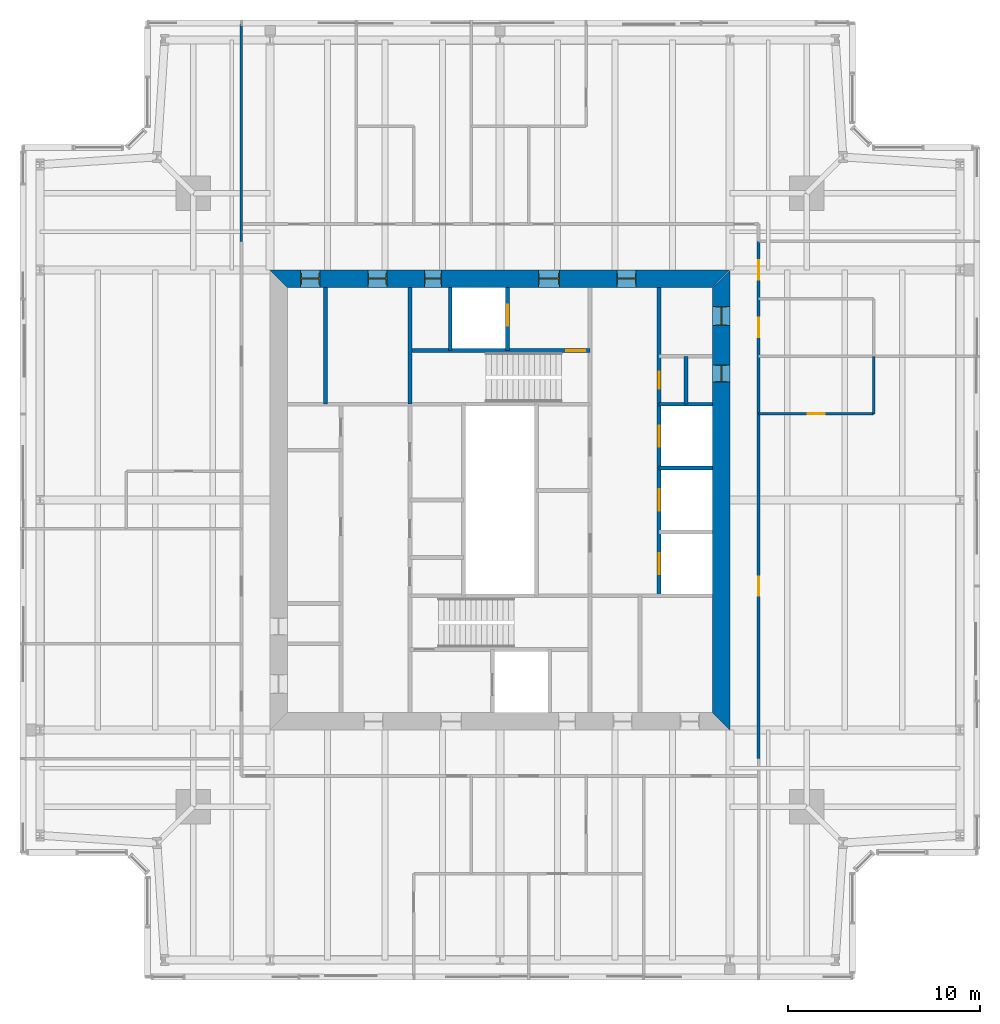
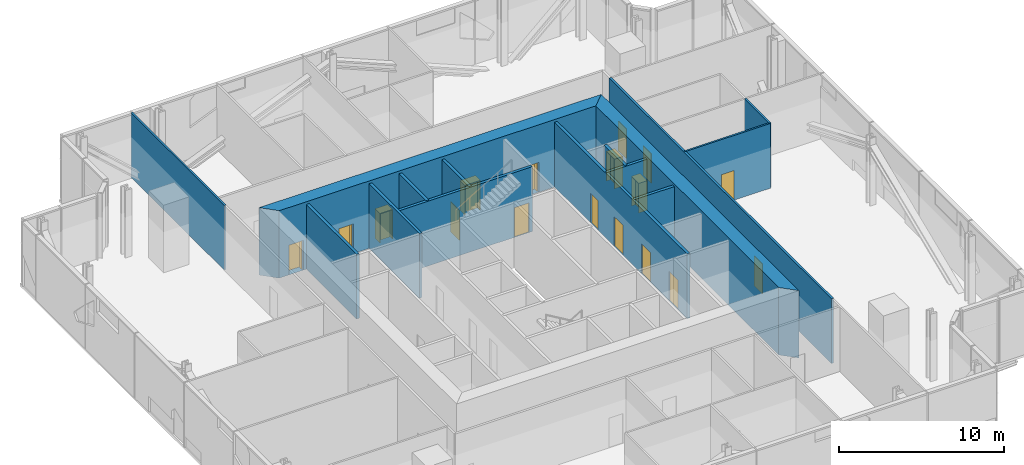
# One storey, part 9 of 15: 17 doors, 15 walls, 17 openings.
"""IFC4 building model written with IfcOpenShell, lengths in metres."""

import ifcopenshell
import ifcopenshell.guid

model = None  # the IFC model being written
_history = None  # IfcOwnerHistory: only IFC2X3 demands one
_inside = {}  # id of a spatial element -> (the spatial element, [elements in it])
_under = {}  # id of a project, library or spatial element -> (it, [spatial elements below it])
_declared = {}  # id of a project -> (the project, [libraries it declares])
_typed = {}  # id of a type object -> (the type object, [elements of that type])
_made_of = {}  # id of a material, layer set ... -> (it, [elements and type objects made of it])


def new_model(schema):
    """Start an empty IFC model of exactly this schema.

    Asked for "IFC4X3", IfcOpenShell would pick the latest addendum, in which some entities
    have other attributes; the version numbers below select the first issue.
    IFC2X3 requires an IfcOwnerHistory on every rooted entity: one is made here for all.
    """
    global model, _history
    if schema == "IFC4X3":
        model = ifcopenshell.file(schema_version=(4, 3, 0, 0))
    else:
        model = ifcopenshell.file(schema=schema)
    _inside.clear()
    _under.clear()
    _declared.clear()
    _typed.clear()
    _made_of.clear()
    _history = None
    if model.schema == "IFC2X3":
        org = make("IfcOrganization", Name="unknown")
        user = make(
            "IfcPersonAndOrganization",
            ThePerson=make("IfcPerson", FamilyName="unknown"),
            TheOrganization=org,
        )
        app = make(
            "IfcApplication",
            ApplicationDeveloper=org,
            Version="unknown",
            ApplicationFullName="unknown",
            ApplicationIdentifier="unknown",
        )
        _history = make(
            "IfcOwnerHistory",
            OwningUser=user,
            OwningApplication=app,
            ChangeAction="ADDED",
            CreationDate=0,
        )
    return model


def make(cls, **values):
    """One entity of the class cls with the attributes given. An attribute that is None is left unset."""
    return model.create_entity(
        cls, **{name: value for name, value in values.items() if value is not None}
    )


def rooted(cls, **values):
    """An entity with a GlobalId (a new one), such as an element, a storey or a relation."""
    return make(cls, GlobalId=ifcopenshell.guid.new(), OwnerHistory=_history, **values)


def si_unit(unit_type, name, prefix=None):
    """IfcSIUnit, for example si_unit("LENGTHUNIT", "METRE", prefix="MILLI")."""
    return make("IfcSIUnit", UnitType=unit_type, Prefix=prefix, Name=name)


def assignment(units):
    """IfcUnitAssignment: the units of a project."""
    return None if units is None else make("IfcUnitAssignment", Units=units)


def point(xyz):
    """IfcCartesianPoint."""
    return None if xyz is None else make("IfcCartesianPoint", Coordinates=xyz)


def direction(xyz):
    """IfcDirection."""
    return None if xyz is None else make("IfcDirection", DirectionRatios=xyz)


def frame(location, z_axis=None, x_axis=None):
    """IfcAxis2Placement3D, a coordinate frame: its origin and axes. An axis left out is left unset."""
    return make(
        "IfcAxis2Placement3D",
        Location=point(location),
        Axis=direction(z_axis),
        RefDirection=direction(x_axis),
    )


def frame_2d(location, x_axis=None):
    """IfcAxis2Placement2D, a coordinate frame in the plane: its origin and x axis."""
    return make(
        "IfcAxis2Placement2D", Location=point(location), RefDirection=direction(x_axis)
    )


def origin():
    """The frame at (0, 0, 0) with its axes left unset."""
    return frame((0.0, 0.0, 0.0))


def place(relative_to, where):
    """IfcLocalPlacement: puts the frame where relative to a parent placement (None: the world)."""
    return make(
        "IfcLocalPlacement", PlacementRelTo=relative_to, RelativePlacement=where
    )


def context(
    kind, dimensions, precision=None, world=None, true_north=None, identifier=None
):
    """IfcGeometricRepresentationContext, for example the 3D "Model" context."""
    return make(
        "IfcGeometricRepresentationContext",
        ContextIdentifier=identifier,
        ContextType=kind,
        CoordinateSpaceDimension=dimensions,
        Precision=precision,
        WorldCoordinateSystem=world,
        TrueNorth=true_north,
    )


def subcontext(parent, identifier, kind, view, scale=None):
    """IfcGeometricRepresentationSubContext, for example "Body" below "Model"."""
    return make(
        "IfcGeometricRepresentationSubContext",
        ContextIdentifier=identifier,
        ContextType=kind,
        ParentContext=parent,
        TargetScale=scale,
        TargetView=view,
    )


def project(units=None, contexts=None):
    """IfcProject with its units and contexts."""
    return rooted(
        "IfcProject",
        Name="project",
        RepresentationContexts=contexts,
        UnitsInContext=assignment(units),
    )


def spatial(cls, under=None, at=None, **own):
    """A site, building, storey or space (cls), placed at a placement, below another one or the project."""
    s = rooted(cls, ObjectPlacement=at, **own)
    if under is not None:
        _under.setdefault(under.id(), (under, []))[1].append(s)
    return s


def polyline(points):
    """IfcPolyline through the points."""
    return make("IfcPolyline", Points=[point(p) for p in points])


def profile(cls, at=None, kind="AREA", **sizes):
    """A parametric profile (cls). Its sizes go by their IFC names, for example OverallWidth=200.0."""
    return make(cls, ProfileType=kind, Position=at, **sizes)


def rectangle(**sizes):
    """IfcRectangleProfileDef."""
    return profile("IfcRectangleProfileDef", **sizes)


def outline(outer, holes=None, kind="AREA"):
    """IfcArbitraryClosedProfileDef: a profile drawn as a closed curve; with holes, ...WithVoids."""
    if holes is None:
        return make("IfcArbitraryClosedProfileDef", ProfileType=kind, OuterCurve=outer)
    return make(
        "IfcArbitraryProfileDefWithVoids",
        ProfileType=kind,
        OuterCurve=outer,
        InnerCurves=holes,
    )


def extrude(swept, where, along, depth):
    """IfcExtrudedAreaSolid: the profile swept, set in the frame where, extruded along a direction by depth."""
    return make(
        "IfcExtrudedAreaSolid",
        SweptArea=swept,
        Position=where,
        ExtrudedDirection=direction(along),
        Depth=depth,
    )


def shape(context_of_items, identifier, shape_type, items):
    """IfcShapeRepresentation: the items that make up one representation, for example the "Body"."""
    return make(
        "IfcShapeRepresentation",
        ContextOfItems=context_of_items,
        RepresentationIdentifier=identifier,
        RepresentationType=shape_type,
        Items=items,
    )


def material(Name=None, Category=None):
    """IfcMaterial."""
    return make("IfcMaterial", Name=Name, Category=Category)


def layer(
    of_material, thickness, ventilated=None, Name=None, Category=None, Priority=None
):
    """IfcMaterialLayer: one layer of a wall or slab, of a material (None: an air gap)."""
    return make(
        "IfcMaterialLayer",
        Material=of_material,
        LayerThickness=thickness,
        IsVentilated=ventilated,
        Name=Name,
        Category=Category,
        Priority=Priority,
    )


def layer_set(layers, Name=None):
    """IfcMaterialLayerSet."""
    return make("IfcMaterialLayerSet", MaterialLayers=layers, LayerSetName=Name)


def made_of(thing, what):
    """Note that an element or type object is made of a material, layer set ...; save() writes the relation."""
    if what is not None:
        _made_of.setdefault(what.id(), (what, []))[1].append(thing)
    return thing


def type_object(cls, material=None, **own):
    """A type object (cls), such as IfcWallType, which elements share."""
    return made_of(rooted(cls, **own), material)


def element(
    cls,
    number,
    at=None,
    inside=None,
    cuts=None,
    type_object=None,
    material=None,
    context=None,
    identifier="Body",
    shape_type=None,
    held_by="IfcProductDefinitionShape",
    body=None,
    shapes=None,
    **own,
):
    """One element of the class cls, such as IfcWall. Its Tag is "e" and its number.

    at: its placement. inside: the storey or other place that contains it. cuts: it is an
    opening in that element (IfcRelVoidsElement). A single representation is given by context,
    identifier, shape_type and body (its items); several are given by shapes. held_by: the class
    of the entity that holds the representations. save() writes the other relations.
    """
    e = rooted(cls, Tag="e%d" % number, ObjectPlacement=at, **own)
    if body is not None:
        shapes = [shape(context, identifier, shape_type, body)]
    if shapes is not None:
        e.Representation = make(held_by, Representations=shapes)
    if inside is not None:
        _inside.setdefault(inside.id(), (inside, []))[1].append(e)
    if cuts is not None:
        rooted(
            "IfcRelVoidsElement", RelatingBuildingElement=cuts, RelatedOpeningElement=e
        )
    if type_object is not None:
        _typed.setdefault(type_object.id(), (type_object, []))[1].append(e)
    return made_of(e, material)


def fill(opening, filler):
    """IfcRelFillsElement: the door or window that sits in an opening."""
    return rooted(
        "IfcRelFillsElement",
        RelatingOpeningElement=opening,
        RelatedBuildingElement=filler,
    )


def aggregate(whole, parts):
    """IfcRelAggregates: a whole, such as a stair, and the parts it consists of."""
    return rooted("IfcRelAggregates", RelatingObject=whole, RelatedObjects=parts)


def save(model, path):
    """Write the relations noted so far, then the file.

    IfcRelAggregates (storeys below a building ...), IfcRelContainedInSpatialStructure (elements
    in a storey), IfcRelDefinesByType, IfcRelAssociatesMaterial and IfcRelDeclares: one each for
    every whole, place, type object, material and project.
    """
    for whole, parts in _under.values():
        aggregate(whole, parts)
    for where, things in _inside.values():
        rooted(
            "IfcRelContainedInSpatialStructure",
            RelatedElements=things,
            RelatingStructure=where,
        )
    for kind, things in _typed.values():
        rooted("IfcRelDefinesByType", RelatedObjects=things, RelatingType=kind)
    for what, things in _made_of.values():
        rooted("IfcRelAssociatesMaterial", RelatedObjects=things, RelatingMaterial=what)
    for by, libraries in _declared.values():
        rooted("IfcRelDeclares", RelatingContext=by, RelatedDefinitions=libraries)
    model.write(path)


model = new_model("IFC4")

# Units and contexts
model_context = context("Model", 3, precision=1e-05, world=origin(), true_north=direction((0.0, 1.0)))
body_context = subcontext(model_context, "Body", "Model", "MODEL_VIEW")
ifc_project = project(units=[si_unit("LENGTHUNIT", "METRE"), si_unit("AREAUNIT", "SQUARE_METRE"), si_unit("VOLUMEUNIT", "CUBIC_METRE"), si_unit("PLANEANGLEUNIT", "RADIAN"), si_unit("MASSUNIT", "GRAM", prefix="KILO")], contexts=[model_context])

# Site, building, storey
site_placement = place(None, origin())
site = spatial("IfcSite", under=ifc_project, at=site_placement, CompositionType="ELEMENT")
building_placement = place(site_placement, origin())
building = spatial("IfcBuilding", under=site, at=building_placement, Name="Fenwick Lantern Interchange", CompositionType="ELEMENT")
storey_placement = place(building_placement, frame((0.0, 0.0, 296.800048828125)))
storey = spatial("IfcBuildingStorey", under=building, at=storey_placement, Name="L72", CompositionType="ELEMENT", Elevation=296.800048828125)

# Wall, openings, doors
ifc_material_1 = material(Name="Concrete masonry ASTM C90 Grade N", Category="masonry")
ifc_layer_1 = layer(ifc_material_1, 0.199951171875)
ifc_layer_set_1 = layer_set([ifc_layer_1], Name="Concrete masonry ASTM C90 Grade N")
wall_type_1 = type_object("IfcWallType", Name="CORE PARTITION 200", PredefinedType="PARTITIONING", material=ifc_layer_set_1)
wall_1_placement = place(storey_placement, frame((33.300048828125, 36.10009765625, 0.0), z_axis=(0.0, 0.0, 1.0), x_axis=(0.0, -1.0, 0.0)))
wall_1 = element("IfcWall", 1, at=wall_1_placement, inside=storey, type_object=wall_type_1, Name="L72/W/COREN/a", PredefinedType="PARTITIONING", context=body_context, shape_type="SweptSolid", body=[
    extrude(rectangle(XDim=16.10009765625, YDim=0.199951171875, at=frame_2d((8.050048828125, 0.0))), origin(), (0.0, 0.0, 1.0), 4.800048828125),
])
opening_1_placement = place(wall_1_placement, frame((4.39990234375, 0.0, 0.0)))
opening_1 = element("IfcOpeningElement", 2, at=opening_1_placement, cuts=wall_1, Name="Opening L72-D021", PredefinedType="OPENING", context=body_context, shape_type="SweptSolid", body=[
    extrude(rectangle(XDim=0.89990234375, YDim=2.199951171875, at=frame_2d((0.449951171875, 1.10009765625))), frame((0.0, 0.10986328125, 0.0), z_axis=(0.0, -1.0, 0.0), x_axis=(1.0, 0.0, 0.0)), (0.0, 0.0, 1.0), 0.219970703125),
])
opening_2_placement = place(wall_1_placement, frame((7.216552734375, 0.0, 0.0)))
opening_2 = element("IfcOpeningElement", 3, at=opening_2_placement, cuts=wall_1, Name="Opening LD-E1-1", PredefinedType="OPENING", context=body_context, shape_type="SweptSolid", body=[
    extrude(rectangle(XDim=1.10009765625, YDim=2.199951171875, at=frame_2d((0.550048828125, 1.10009765625))), frame((0.0, 0.10986328125, 0.0), z_axis=(0.0, -1.0, 0.0), x_axis=(1.0, 0.0, 0.0)), (0.0, 0.0, 1.0), 0.219970703125),
])
opening_3_placement = place(wall_1_placement, frame((10.550048828125, 0.0, 0.0)))
opening_3 = element("IfcOpeningElement", 4, at=opening_3_placement, cuts=wall_1, Name="Opening LD-E1-2", PredefinedType="OPENING", context=body_context, shape_type="SweptSolid", body=[
    extrude(rectangle(XDim=1.10009765625, YDim=2.199951171875, at=frame_2d((0.550048828125, 1.10009765625))), frame((0.0, 0.10986328125, 0.0), z_axis=(0.0, -1.0, 0.0), x_axis=(1.0, 0.0, 0.0)), (0.0, 0.0, 1.0), 0.219970703125),
])
opening_4_placement = place(wall_1_placement, frame((13.88330078125, 0.0, 0.0)))
opening_4 = element("IfcOpeningElement", 5, at=opening_4_placement, cuts=wall_1, Name="Opening LD-E1-3", PredefinedType="OPENING", context=body_context, shape_type="SweptSolid", body=[
    extrude(rectangle(XDim=1.10009765625, YDim=2.199951171875, at=frame_2d((0.550048828125, 1.10009765625))), frame((0.0, 0.10986328125, 0.0), z_axis=(0.0, -1.0, 0.0), x_axis=(1.0, 0.0, 0.0)), (0.0, 0.0, 1.0), 0.219970703125),
])
ifc_material_2 = material(Name="Steel door and frame", Category="steel")
door_type_1 = type_object("IfcDoorType", Name="LIFT LANDING DOOR 1100 X 2200", OperationType="DOUBLE_DOOR_SLIDING", PredefinedType="DOOR", material=ifc_material_2)
door_1_placement = place(opening_2_placement, origin())
door_1 = element("IfcDoor", 6, at=door_1_placement, inside=storey, type_object=door_type_1, Name="Lift landing door E1-1", OperationType="DOUBLE_DOOR_SLIDING", OverallHeight=2.199951171875, OverallWidth=1.10009765625, PredefinedType="DOOR", context=body_context, shape_type="SweptSolid", body=[
    extrude(rectangle(XDim=1.10009765625, YDim=2.199951171875, at=frame_2d((0.550048828125, 1.10009765625))), frame((0.0, 0.02490234375, 0.0), z_axis=(0.0, -1.0, 0.0), x_axis=(1.0, 0.0, 0.0)), (0.0, 0.0, 1.0), 0.050048828125),
])
fill(opening_2, door_1)
door_2_placement = place(opening_3_placement, origin())
door_2 = element("IfcDoor", 7, at=door_2_placement, inside=storey, type_object=door_type_1, Name="Lift landing door E1-2", OperationType="DOUBLE_DOOR_SLIDING", OverallHeight=2.199951171875, OverallWidth=1.10009765625, PredefinedType="DOOR", context=body_context, shape_type="SweptSolid", body=[
    extrude(rectangle(XDim=1.10009765625, YDim=2.199951171875, at=frame_2d((0.550048828125, 1.10009765625))), frame((0.0, 0.02490234375, 0.0), z_axis=(0.0, -1.0, 0.0), x_axis=(1.0, 0.0, 0.0)), (0.0, 0.0, 1.0), 0.050048828125),
])
fill(opening_3, door_2)
door_3_placement = place(opening_4_placement, origin())
door_3 = element("IfcDoor", 8, at=door_3_placement, inside=storey, type_object=door_type_1, Name="Lift landing door E1-3", OperationType="DOUBLE_DOOR_SLIDING", OverallHeight=2.199951171875, OverallWidth=1.10009765625, PredefinedType="DOOR", context=body_context, shape_type="SweptSolid", body=[
    extrude(rectangle(XDim=1.10009765625, YDim=2.199951171875, at=frame_2d((0.550048828125, 1.10009765625))), frame((0.0, 0.02490234375, 0.0), z_axis=(0.0, -1.0, 0.0), x_axis=(1.0, 0.0, 0.0)), (0.0, 0.0, 1.0), 0.050048828125),
])
fill(opening_4, door_3)
door_type_2 = type_object("IfcDoorType", Name="SERVICE DOOR 900 X 2200", OperationType="SINGLE_SWING_LEFT", PredefinedType="DOOR", material=ifc_material_2)
door_4_placement = place(opening_1_placement, origin())
door_4 = element("IfcDoor", 9, at=door_4_placement, inside=storey, type_object=door_type_2, Name="Service door", OperationType="SINGLE_SWING_LEFT", OverallHeight=2.199951171875, OverallWidth=0.89990234375, PredefinedType="DOOR", context=body_context, shape_type="SweptSolid", body=[
    extrude(rectangle(XDim=0.89990234375, YDim=2.199951171875, at=frame_2d((0.449951171875, 1.10009765625))), frame((0.0, 0.02490234375, 0.0), z_axis=(0.0, -1.0, 0.0), x_axis=(1.0, 0.0, 0.0)), (0.0, 0.0, 1.0), 0.050048828125),
])
fill(opening_1, door_4)

# Walls
for number, where, z_axis, x_axis, name in (
    (10, (36.10009765625, 30.0, 0.0), (0.0, 0.0, 1.0), (-1.0, 0.0, 0.0), "L72/W/COREN/c2"),
    (11, (36.10009765625, 26.666748046875, 0.0), (0.0, 0.0, 1.0), (-1.0, 0.0, 0.0), "L72/W/COREN/d1"),
):
    element("IfcWall", number, at=place(storey_placement, frame(where, z_axis=z_axis, x_axis=x_axis)), inside=storey, type_object=wall_type_1, Name=name, PredefinedType="PARTITIONING", context=body_context, shape_type="SweptSolid", body=[
        extrude(rectangle(XDim=2.800048828125, YDim=0.199951171875, at=frame_2d((1.39990234375, 0.0))), origin(), (0.0, 0.0, 1.0), 4.800048828125),
    ])

# Wall, opening, door
wall_2_placement = place(storey_placement, frame((25.39990234375, 36.10009765625, 0.0), z_axis=(0.0, 0.0, 1.0), x_axis=(0.0, -1.0, 0.0)))
wall_2 = element("IfcWall", 12, at=wall_2_placement, inside=storey, type_object=wall_type_1, Name="L72/W/COREN/h1", PredefinedType="PARTITIONING", context=body_context, shape_type="SweptSolid", body=[
    extrude(rectangle(XDim=3.300048828125, YDim=0.199951171875, at=frame_2d((1.64990234375, 0.0))), origin(), (0.0, 0.0, 1.0), 4.800048828125),
])
opening_5_placement = place(wall_2_placement, frame((0.89990234375, 0.0, 0.0)))
opening_5 = element("IfcOpeningElement", 13, at=opening_5_placement, cuts=wall_2, Name="Opening LD-FL2", PredefinedType="OPENING", context=body_context, shape_type="SweptSolid", body=[
    extrude(rectangle(XDim=1.10009765625, YDim=2.199951171875, at=frame_2d((0.550048828125, 1.10009765625))), frame((0.0, 0.10986328125, 0.0), z_axis=(0.0, -1.0, 0.0), x_axis=(1.0, 0.0, 0.0)), (0.0, 0.0, 1.0), 0.219970703125),
])
door_5_placement = place(opening_5_placement, origin())
door_5 = element("IfcDoor", 14, at=door_5_placement, inside=storey, type_object=door_type_1, Name="Lift landing door FL2", OperationType="DOUBLE_DOOR_SLIDING", OverallHeight=2.199951171875, OverallWidth=1.10009765625, PredefinedType="DOOR", context=body_context, shape_type="SweptSolid", body=[
    extrude(rectangle(XDim=1.10009765625, YDim=2.199951171875, at=frame_2d((0.550048828125, 1.10009765625))), frame((0.0, 0.02490234375, 0.0), z_axis=(0.0, -1.0, 0.0), x_axis=(1.0, 0.0, 0.0)), (0.0, 0.0, 1.0), 0.050048828125),
])
fill(opening_5, door_5)

# Walls
wall_3_placement = place(storey_placement, frame((22.39990234375, 36.10009765625, 0.0), z_axis=(0.0, 0.0, 1.0), x_axis=(0.0, -1.0, 0.0)))
element("IfcWall", 15, at=wall_3_placement, inside=storey, type_object=wall_type_1, Name="L72/W/COREN/h2", PredefinedType="PARTITIONING", context=body_context, shape_type="SweptSolid", body=[
    extrude(rectangle(XDim=3.300048828125, YDim=0.199951171875, at=frame_2d((1.64990234375, 0.0))), origin(), (0.0, 0.0, 1.0), 4.800048828125),
])
wall_4_placement = place(storey_placement, frame((15.89990234375, 36.10009765625, 0.0), z_axis=(0.0, 0.0, 1.0), x_axis=(0.0, -1.0, 0.0)))
element("IfcWall", 16, at=wall_4_placement, inside=storey, type_object=wall_type_1, Name="L72/W/COREN/i2", PredefinedType="PARTITIONING", context=body_context, shape_type="SweptSolid", body=[
    extrude(rectangle(XDim=6.10009765625, YDim=0.199951171875, at=frame_2d((3.050048828125, 0.0))), origin(), (0.0, 0.0, 1.0), 4.800048828125),
])
wall_5_placement = place(storey_placement, frame((34.699951171875, 32.5, 0.0), z_axis=(0.0, 0.0, 1.0), x_axis=(0.0, -1.0, 0.0)))
element("IfcWall", 17, at=wall_5_placement, inside=storey, type_object=wall_type_1, Name="L72/W/COREN/px", PredefinedType="PARTITIONING", context=body_context, shape_type="SweptSolid", body=[
    extrude(rectangle(XDim=2.5, YDim=0.199951171875, at=frame_2d((1.25, 0.0))), origin(), (0.0, 0.0, 1.0), 4.800048828125),
])

# Wall, openings, doors
ifc_material_3 = material(Name="Concrete f'c 70 MPa", Category="concrete")
ifc_layer_2 = layer(ifc_material_3, 0.89990234375)
ifc_layer_set_2 = layer_set([ifc_layer_2], Name="CORE WALL 900")
wall_type_2 = type_object("IfcWallType", Name="CORE WALL 900", PredefinedType="SHEAR", material=ifc_layer_set_2)
wall_6_placement = place(storey_placement, frame((36.550048828125, 13.89990234375, 0.0), z_axis=(0.0, 0.0, 1.0), x_axis=(0.0, 1.0, 0.0)))
wall_6 = element("IfcWall", 18, at=wall_6_placement, inside=storey, type_object=wall_type_2, Name="L72/CORE/E", PredefinedType="SHEAR", context=body_context, shape_type="SweptSolid", body=[
    extrude(outline(polyline([(-0.89990234375, -0.449951171875), (23.10009765625, -0.449951171875), (22.199951171875, 0.449951171875), (0.0, 0.449951171875), (-0.89990234375, -0.449951171875)])), origin(), (0.0, 0.0, 1.0), 5.0),
])
opening_6_placement = place(wall_6_placement, frame((20.199951171875, 0.0, 0.0)))
opening_6 = element("IfcOpeningElement", 19, at=opening_6_placement, cuts=wall_6, Name="Opening L72-D020", PredefinedType="OPENING", context=body_context, shape_type="SweptSolid", body=[
    extrude(rectangle(XDim=1.0, YDim=2.199951171875, at=frame_2d((0.5, 1.10009765625))), frame((0.0, 0.4599609375, 0.0), z_axis=(0.0, -1.0, 0.0), x_axis=(1.0, 0.0, 0.0)), (0.0, 0.0, 1.0), 0.919921875),
])
opening_7_placement = place(wall_6_placement, frame((17.25, 0.0, 0.0)))
opening_7 = element("IfcOpeningElement", 20, at=opening_7_placement, cuts=wall_6, Name="Opening L72-D022", PredefinedType="OPENING", context=body_context, shape_type="SweptSolid", body=[
    extrude(rectangle(XDim=0.89990234375, YDim=2.199951171875, at=frame_2d((0.449951171875, 1.10009765625))), frame((0.0, 0.4599609375, 0.0), z_axis=(0.0, -1.0, 0.0), x_axis=(1.0, 0.0, 0.0)), (0.0, 0.0, 1.0), 0.919921875),
])
door_6_placement = place(opening_7_placement, origin())
door_6 = element("IfcDoor", 21, at=door_6_placement, inside=storey, type_object=door_type_2, Name="Service door", OperationType="SINGLE_SWING_RIGHT", OverallHeight=2.199951171875, OverallWidth=0.89990234375, PredefinedType="DOOR", context=body_context, shape_type="SweptSolid", body=[
    extrude(rectangle(XDim=0.89990234375, YDim=2.199951171875, at=frame_2d((0.449951171875, 1.10009765625))), frame((0.0, 0.02490234375, 0.0), z_axis=(0.0, -1.0, 0.0), x_axis=(1.0, 0.0, 0.0)), (0.0, 0.0, 1.0), 0.050048828125),
    extrude(outline(polyline([(0.0, 0.0), (0.0400390625, 0.0), (0.0400390625, 2.159912109375), (0.85986328125, 2.159912109375), (0.85986328125, 0.0), (0.89990234375, 0.0), (0.89990234375, 2.199951171875), (0.0, 2.199951171875), (0.0, 0.0)])), frame((0.0, 0.300048828125, 0.0), z_axis=(0.0, -1.0, 0.0), x_axis=(1.0, 0.0, 0.0)), (0.0, 0.0, 1.0), 0.60009765625),
])
fill(opening_7, door_6)
ifc_material_4 = material(Name="Hardwood door and steel frame", Category="steel")
door_type_3 = type_object("IfcDoorType", Name="WC DOOR 1000 X 2200", OperationType="SINGLE_SWING_LEFT", PredefinedType="DOOR", material=ifc_material_4)
door_7_placement = place(opening_6_placement, origin())
door_7 = element("IfcDoor", 22, at=door_7_placement, inside=storey, type_object=door_type_3, Name="Wc door", OperationType="SINGLE_SWING_RIGHT", OverallHeight=2.199951171875, OverallWidth=1.0, PredefinedType="DOOR", context=body_context, shape_type="SweptSolid", body=[
    extrude(rectangle(XDim=1.0, YDim=2.199951171875, at=frame_2d((0.5, 1.10009765625))), frame((0.0, 0.02490234375, 0.0), z_axis=(0.0, -1.0, 0.0), x_axis=(1.0, 0.0, 0.0)), (0.0, 0.0, 1.0), 0.050048828125),
    extrude(outline(polyline([(0.0, 0.0), (0.0400390625, 0.0), (0.0400390625, 2.159912109375), (0.9599609375, 2.159912109375), (0.9599609375, 0.0), (1.0, 0.0), (1.0, 2.199951171875), (0.0, 2.199951171875), (0.0, 0.0)])), frame((0.0, 0.300048828125, 0.0), z_axis=(0.0, -1.0, 0.0), x_axis=(1.0, 0.0, 0.0)), (0.0, 0.0, 1.0), 0.60009765625),
])
fill(opening_6, door_7)

wall_7_placement = place(storey_placement, frame((37.0, 36.550048828125, 0.0), z_axis=(0.0, 0.0, 1.0), x_axis=(-1.0, 0.0, 0.0)))
wall_7 = element("IfcWall", 23, at=wall_7_placement, inside=storey, type_object=wall_type_2, Name="L72/CORE/N", PredefinedType="SHEAR", context=body_context, shape_type="SweptSolid", body=[
    extrude(outline(polyline([(0.0, -0.449951171875), (24.0, -0.449951171875), (23.10009765625, 0.449951171875), (0.89990234375, 0.449951171875), (0.0, -0.449951171875)])), origin(), (0.0, 0.0, 1.0), 5.0),
])
opening_8_placement = place(wall_7_placement, frame((4.89990234375, 0.0, 0.0)))
opening_8 = element("IfcOpeningElement", 24, at=opening_8_placement, cuts=wall_7, Name="Opening L72-D014", PredefinedType="OPENING", context=body_context, shape_type="SweptSolid", body=[
    extrude(rectangle(XDim=1.0, YDim=2.199951171875, at=frame_2d((0.5, 1.10009765625))), frame((0.0, 0.4599609375, 0.0), z_axis=(0.0, -1.0, 0.0), x_axis=(1.0, 0.0, 0.0)), (0.0, 0.0, 1.0), 0.919921875),
])
opening_9_placement = place(wall_7_placement, frame((8.89990234375, 0.0, 0.0)))
opening_9 = element("IfcOpeningElement", 25, at=opening_9_placement, cuts=wall_7, Name="Opening L72-D015", PredefinedType="OPENING", context=body_context, shape_type="SweptSolid", body=[
    extrude(rectangle(XDim=1.10009765625, YDim=2.199951171875, at=frame_2d((0.550048828125, 1.10009765625))), frame((0.0, 0.4599609375, 0.0), z_axis=(0.0, -1.0, 0.0), x_axis=(1.0, 0.0, 0.0)), (0.0, 0.0, 1.0), 0.919921875),
])
opening_10_placement = place(wall_7_placement, frame((15.050048828125, 0.0, 0.0)))
opening_10 = element("IfcOpeningElement", 26, at=opening_10_placement, cuts=wall_7, Name="Opening L72-D017", PredefinedType="OPENING", context=body_context, shape_type="SweptSolid", body=[
    extrude(rectangle(XDim=0.89990234375, YDim=2.199951171875, at=frame_2d((0.449951171875, 1.10009765625))), frame((0.0, 0.4599609375, 0.0), z_axis=(0.0, -1.0, 0.0), x_axis=(1.0, 0.0, 0.0)), (0.0, 0.0, 1.0), 0.919921875),
])
opening_11_placement = place(wall_7_placement, frame((17.89990234375, 0.0, 0.0)))
opening_11 = element("IfcOpeningElement", 27, at=opening_11_placement, cuts=wall_7, Name="Opening L72-D018", PredefinedType="OPENING", context=body_context, shape_type="SweptSolid", body=[
    extrude(rectangle(XDim=1.0, YDim=2.199951171875, at=frame_2d((0.5, 1.10009765625))), frame((0.0, 0.4599609375, 0.0), z_axis=(0.0, -1.0, 0.0), x_axis=(1.0, 0.0, 0.0)), (0.0, 0.0, 1.0), 0.919921875),
])
opening_12_placement = place(wall_7_placement, frame((21.39990234375, 0.0, 0.0)))
opening_12 = element("IfcOpeningElement", 28, at=opening_12_placement, cuts=wall_7, Name="Opening L72-D019", PredefinedType="OPENING", context=body_context, shape_type="SweptSolid", body=[
    extrude(rectangle(XDim=1.0, YDim=2.199951171875, at=frame_2d((0.5, 1.10009765625))), frame((0.0, 0.4599609375, 0.0), z_axis=(0.0, -1.0, 0.0), x_axis=(1.0, 0.0, 0.0)), (0.0, 0.0, 1.0), 0.919921875),
])
door_type_4 = type_object("IfcDoorType", Name="CORE LOBBY DOOR 1000 X 2200", OperationType="SINGLE_SWING_LEFT", PredefinedType="DOOR", material=ifc_material_2)
door_8_placement = place(opening_8_placement, origin())
door_8 = element("IfcDoor", 29, at=door_8_placement, inside=storey, type_object=door_type_4, Name="Core lobby door", OperationType="SINGLE_SWING_LEFT", OverallHeight=2.199951171875, OverallWidth=1.0, PredefinedType="DOOR", context=body_context, shape_type="SweptSolid", body=[
    extrude(rectangle(XDim=1.0, YDim=2.199951171875, at=frame_2d((0.5, 1.10009765625))), frame((0.0, 0.02490234375, 0.0), z_axis=(0.0, -1.0, 0.0), x_axis=(1.0, 0.0, 0.0)), (0.0, 0.0, 1.0), 0.050048828125),
    extrude(outline(polyline([(0.0, 0.0), (0.0400390625, 0.0), (0.0400390625, 2.159912109375), (0.9599609375, 2.159912109375), (0.9599609375, 0.0), (1.0, 0.0), (1.0, 2.199951171875), (0.0, 2.199951171875), (0.0, 0.0)])), frame((0.0, 0.300048828125, 0.0), z_axis=(0.0, -1.0, 0.0), x_axis=(1.0, 0.0, 0.0)), (0.0, 0.0, 1.0), 0.60009765625),
])
fill(opening_8, door_8)
door_type_5 = type_object("IfcDoorType", Name="FIRE LOBBY DOOR 1100 X 2200", OperationType="SINGLE_SWING_LEFT", PredefinedType="DOOR", material=ifc_material_2)
door_9_placement = place(opening_9_placement, origin())
door_9 = element("IfcDoor", 30, at=door_9_placement, inside=storey, type_object=door_type_5, Name="Fire lobby door", OperationType="SINGLE_SWING_LEFT", OverallHeight=2.199951171875, OverallWidth=1.10009765625, PredefinedType="DOOR", context=body_context, shape_type="SweptSolid", body=[
    extrude(rectangle(XDim=1.10009765625, YDim=2.199951171875, at=frame_2d((0.550048828125, 1.10009765625))), frame((0.0, 0.02490234375, 0.0), z_axis=(0.0, -1.0, 0.0), x_axis=(1.0, 0.0, 0.0)), (0.0, 0.0, 1.0), 0.050048828125),
    extrude(outline(polyline([(0.0, 0.0), (0.0400390625, 0.0), (0.0400390625, 2.159912109375), (1.06005859375, 2.159912109375), (1.06005859375, 0.0), (1.10009765625, 0.0), (1.10009765625, 2.199951171875), (0.0, 2.199951171875), (0.0, 0.0)])), frame((0.0, 0.300048828125, 0.0), z_axis=(0.0, -1.0, 0.0), x_axis=(1.0, 0.0, 0.0)), (0.0, 0.0, 1.0), 0.60009765625),
])
fill(opening_9, door_9)
door_10_placement = place(opening_10_placement, origin())
door_10 = element("IfcDoor", 31, at=door_10_placement, inside=storey, type_object=door_type_2, Name="Service door", OperationType="SINGLE_SWING_LEFT", OverallHeight=2.199951171875, OverallWidth=0.89990234375, PredefinedType="DOOR", context=body_context, shape_type="SweptSolid", body=[
    extrude(rectangle(XDim=0.89990234375, YDim=2.199951171875, at=frame_2d((0.449951171875, 1.10009765625))), frame((0.0, 0.02490234375, 0.0), z_axis=(0.0, -1.0, 0.0), x_axis=(1.0, 0.0, 0.0)), (0.0, 0.0, 1.0), 0.050048828125),
    extrude(outline(polyline([(0.0, 0.0), (0.0400390625, 0.0), (0.0400390625, 2.159912109375), (0.85986328125, 2.159912109375), (0.85986328125, 0.0), (0.89990234375, 0.0), (0.89990234375, 2.199951171875), (0.0, 2.199951171875), (0.0, 0.0)])), frame((0.0, 0.300048828125, 0.0), z_axis=(0.0, -1.0, 0.0), x_axis=(1.0, 0.0, 0.0)), (0.0, 0.0, 1.0), 0.60009765625),
])
fill(opening_10, door_10)
door_11_placement = place(opening_11_placement, origin())
door_11 = element("IfcDoor", 32, at=door_11_placement, inside=storey, type_object=door_type_3, Name="Wc door", OperationType="SINGLE_SWING_LEFT", OverallHeight=2.199951171875, OverallWidth=1.0, PredefinedType="DOOR", context=body_context, shape_type="SweptSolid", body=[
    extrude(rectangle(XDim=1.0, YDim=2.199951171875, at=frame_2d((0.5, 1.10009765625))), frame((0.0, 0.02490234375, 0.0), z_axis=(0.0, -1.0, 0.0), x_axis=(1.0, 0.0, 0.0)), (0.0, 0.0, 1.0), 0.050048828125),
    extrude(outline(polyline([(0.0, 0.0), (0.0400390625, 0.0), (0.0400390625, 2.159912109375), (0.9599609375, 2.159912109375), (0.9599609375, 0.0), (1.0, 0.0), (1.0, 2.199951171875), (0.0, 2.199951171875), (0.0, 0.0)])), frame((0.0, 0.300048828125, 0.0), z_axis=(0.0, -1.0, 0.0), x_axis=(1.0, 0.0, 0.0)), (0.0, 0.0, 1.0), 0.60009765625),
])
fill(opening_11, door_11)
door_12_placement = place(opening_12_placement, origin())
door_12 = element("IfcDoor", 33, at=door_12_placement, inside=storey, type_object=door_type_3, Name="Wc door", OperationType="SINGLE_SWING_LEFT", OverallHeight=2.199951171875, OverallWidth=1.0, PredefinedType="DOOR", context=body_context, shape_type="SweptSolid", body=[
    extrude(rectangle(XDim=1.0, YDim=2.199951171875, at=frame_2d((0.5, 1.10009765625))), frame((0.0, 0.02490234375, 0.0), z_axis=(0.0, -1.0, 0.0), x_axis=(1.0, 0.0, 0.0)), (0.0, 0.0, 1.0), 0.050048828125),
    extrude(outline(polyline([(0.0, 0.0), (0.0400390625, 0.0), (0.0400390625, 2.159912109375), (0.9599609375, 2.159912109375), (0.9599609375, 0.0), (1.0, 0.0), (1.0, 2.199951171875), (0.0, 2.199951171875), (0.0, 0.0)])), frame((0.0, 0.300048828125, 0.0), z_axis=(0.0, -1.0, 0.0), x_axis=(1.0, 0.0, 0.0)), (0.0, 0.0, 1.0), 0.60009765625),
])
fill(opening_12, door_12)

ifc_material_5 = material(Name="Gypsum board on steel studs, 1 hour", Category="steel")
ifc_layer_3 = layer(ifc_material_5, 0.14990234375)
ifc_layer_set_3 = layer_set([ifc_layer_3], Name="CORRIDOR WALL 150")
wall_type_3 = type_object("IfcWallType", Name="CORRIDOR WALL 150", PredefinedType="PARTITIONING", material=ifc_layer_set_3)
wall_8_placement = place(storey_placement, frame((38.5, 11.5, 0.0), z_axis=(0.0, 0.0, 1.0), x_axis=(0.0, 1.0, 0.0)))
wall_8 = element("IfcWall", 34, at=wall_8_placement, inside=storey, type_object=wall_type_3, Name="L72/W/OFF/E/CW", PredefinedType="PARTITIONING", context=body_context, shape_type="SweptSolid", body=[
    extrude(rectangle(XDim=27.0, YDim=0.14990234375, at=frame_2d((13.5, 0.0))), origin(), (0.0, 0.0, 1.0), 4.800048828125),
])
opening_13_placement = place(wall_8_placement, frame((8.5, 0.0, 0.0)))
opening_13 = element("IfcOpeningElement", 35, at=opening_13_placement, cuts=wall_8, Name="Opening L72-D032", PredefinedType="OPENING", context=body_context, shape_type="SweptSolid", body=[
    extrude(rectangle(XDim=1.0, YDim=2.199951171875, at=frame_2d((0.5, 1.10009765625))), frame((0.0, 0.0849609375, 0.0), z_axis=(0.0, -1.0, 0.0), x_axis=(1.0, 0.0, 0.0)), (0.0, 0.0, 1.0), 0.169921875),
])
opening_14_placement = place(wall_8_placement, frame((25.0, 0.0, 0.0)))
opening_14 = element("IfcOpeningElement", 36, at=opening_14_placement, cuts=wall_8, Name="Opening L72-D034", PredefinedType="OPENING", context=body_context, shape_type="SweptSolid", body=[
    extrude(rectangle(XDim=1.0, YDim=2.199951171875, at=frame_2d((0.5, 1.10009765625))), frame((0.0, 0.0849609375, 0.0), z_axis=(0.0, -1.0, 0.0), x_axis=(1.0, 0.0, 0.0)), (0.0, 0.0, 1.0), 0.169921875),
])
opening_15_placement = place(wall_8_placement, frame((22.0, 0.0, 0.0)))
opening_15 = element("IfcOpeningElement", 37, at=opening_15_placement, cuts=wall_8, Name="Opening L72-D035", PredefinedType="OPENING", context=body_context, shape_type="SweptSolid", body=[
    extrude(rectangle(XDim=1.0, YDim=2.199951171875, at=frame_2d((0.5, 1.10009765625))), frame((0.0, 0.0849609375, 0.0), z_axis=(0.0, -1.0, 0.0), x_axis=(1.0, 0.0, 0.0)), (0.0, 0.0, 1.0), 0.169921875),
])
door_type_6 = type_object("IfcDoorType", Name="SUITE ENTRANCE DOOR 1000 X 2200", OperationType="SINGLE_SWING_LEFT", PredefinedType="DOOR", material=ifc_material_2)
door_13_placement = place(opening_13_placement, frame((1.0, 0.0, 0.0), z_axis=(0.0, 0.0, 1.0), x_axis=(-1.0, 0.0, 0.0)))
door_13 = element("IfcDoor", 38, at=door_13_placement, inside=storey, type_object=door_type_6, Name="Suite entrance door", OperationType="SINGLE_SWING_LEFT", OverallHeight=2.199951171875, OverallWidth=1.0, PredefinedType="DOOR", context=body_context, shape_type="SweptSolid", body=[
    extrude(rectangle(XDim=1.0, YDim=2.199951171875, at=frame_2d((0.5, 1.10009765625))), frame((0.0, 0.02490234375, 0.0), z_axis=(0.0, -1.0, 0.0), x_axis=(1.0, 0.0, 0.0)), (0.0, 0.0, 1.0), 0.050048828125),
])
fill(opening_13, door_13)
door_14_placement = place(opening_14_placement, frame((1.0, 0.0, 0.0), z_axis=(0.0, 0.0, 1.0), x_axis=(-1.0, 0.0, 0.0)))
door_14 = element("IfcDoor", 39, at=door_14_placement, inside=storey, type_object=door_type_6, Name="Suite entrance door", OperationType="SINGLE_SWING_RIGHT", OverallHeight=2.199951171875, OverallWidth=1.0, PredefinedType="DOOR", context=body_context, shape_type="SweptSolid", body=[
    extrude(rectangle(XDim=1.0, YDim=2.199951171875, at=frame_2d((0.5, 1.10009765625))), frame((0.0, 0.02490234375, 0.0), z_axis=(0.0, -1.0, 0.0), x_axis=(1.0, 0.0, 0.0)), (0.0, 0.0, 1.0), 0.050048828125),
])
fill(opening_14, door_14)
door_15_placement = place(opening_15_placement, frame((1.0, 0.0, 0.0), z_axis=(0.0, 0.0, 1.0), x_axis=(-1.0, 0.0, 0.0)))
door_15 = element("IfcDoor", 40, at=door_15_placement, inside=storey, type_object=door_type_6, Name="Suite entrance door", OperationType="SINGLE_SWING_RIGHT", OverallHeight=2.199951171875, OverallWidth=1.0, PredefinedType="DOOR", context=body_context, shape_type="SweptSolid", body=[
    extrude(rectangle(XDim=1.0, YDim=2.199951171875, at=frame_2d((0.5, 1.10009765625))), frame((0.0, 0.02490234375, 0.0), z_axis=(0.0, -1.0, 0.0), x_axis=(1.0, 0.0, 0.0)), (0.0, 0.0, 1.0), 0.050048828125),
])
fill(opening_15, door_15)

# Wall, opening, door
ifc_material_6 = material(Name="Gypsum board on steel studs, acoustic", Category="steel")
ifc_layer_4 = layer(ifc_material_6, 0.125)
ifc_layer_set_4 = layer_set([ifc_layer_4], Name="OFFICE PARTITION 125")
wall_type_4 = type_object("IfcWallType", Name="OFFICE PARTITION 125", PredefinedType="PARTITIONING", material=ifc_layer_set_4)
wall_9_placement = place(storey_placement, frame((44.5, 29.5, 0.0), z_axis=(0.0, 0.0, 1.0), x_axis=(-1.0, 0.0, 0.0)))
wall_9 = element("IfcWall", 41, at=wall_9_placement, inside=storey, type_object=wall_type_4, Name="L72/W/OFF/E/X295-1", PredefinedType="PARTITIONING", context=body_context, shape_type="SweptSolid", body=[
    extrude(rectangle(XDim=6.0, YDim=0.125, at=frame_2d((3.0, 0.0))), origin(), (0.0, 0.0, 1.0), 4.800048828125),
])
opening_16_placement = place(wall_9_placement, frame((2.550048828125, 0.0, 0.0)))
opening_16 = element("IfcOpeningElement", 42, at=opening_16_placement, cuts=wall_9, Name="Opening L72-D033", PredefinedType="OPENING", context=body_context, shape_type="SweptSolid", body=[
    extrude(rectangle(XDim=0.89990234375, YDim=2.199951171875, at=frame_2d((0.449951171875, 1.10009765625))), frame((0.0, 0.072509765625, 0.0), z_axis=(0.0, -1.0, 0.0), x_axis=(1.0, 0.0, 0.0)), (0.0, 0.0, 1.0), 0.14501953125),
])
door_type_7 = type_object("IfcDoorType", Name="OFFICE DOOR 900 X 2200", OperationType="SINGLE_SWING_LEFT", PredefinedType="DOOR", material=ifc_material_4)
door_16_placement = place(opening_16_placement, frame((0.89990234375, 0.0, 0.0), z_axis=(0.0, 0.0, 1.0), x_axis=(-1.0, 0.0, 0.0)))
door_16 = element("IfcDoor", 43, at=door_16_placement, inside=storey, type_object=door_type_7, Name="Office door", OperationType="SINGLE_SWING_RIGHT", OverallHeight=2.199951171875, OverallWidth=0.89990234375, PredefinedType="DOOR", context=body_context, shape_type="SweptSolid", body=[
    extrude(rectangle(XDim=0.89990234375, YDim=2.199951171875, at=frame_2d((0.449951171875, 1.10009765625))), frame((0.0, 0.02490234375, 0.0), z_axis=(0.0, -1.0, 0.0), x_axis=(1.0, 0.0, 0.0)), (0.0, 0.0, 1.0), 0.050048828125),
])
fill(opening_16, door_16)

# Walls
wall_10_placement = place(storey_placement, frame((44.5, 29.5, 0.0), z_axis=(0.0, 0.0, 1.0), x_axis=(0.0, 1.0, 0.0)))
element("IfcWall", 44, at=wall_10_placement, inside=storey, type_object=wall_type_4, Name="L72/W/OFF/E/Y55-1", PredefinedType="PARTITIONING", context=body_context, shape_type="SweptSolid", body=[
    extrude(rectangle(XDim=3.0, YDim=0.125, at=frame_2d((1.5, 0.0))), origin(), (0.0, 0.0, 1.0), 4.800048828125),
])
wall_11_placement = place(storey_placement, frame((11.5, 49.85009765625, 0.0), z_axis=(0.0, 0.0, 1.0), x_axis=(0.0, -1.0, 0.0)))
element("IfcWall", 45, at=wall_11_placement, inside=storey, type_object=wall_type_4, Name="L72/W/OFF/W/BACK", PredefinedType="PARTITIONING", context=body_context, shape_type="SweptSolid", body=[
    extrude(rectangle(XDim=11.35009765625, YDim=0.125, at=frame_2d((5.675048828125, 0.0))), origin(), (0.0, 0.0, 1.0), 4.800048828125),
])

# Wall, opening, door
ifc_material_7 = material(Name="Concrete f'c 45 MPa", Category="concrete")
ifc_layer_5 = layer(ifc_material_7, 0.199951171875)
ifc_layer_set_5 = layer_set([ifc_layer_5], Name="STAIR CORE WALL 200")
wall_type_5 = type_object("IfcWallType", Name="STAIR CORE WALL 200", PredefinedType="SOLIDWALL", material=ifc_layer_set_5)
wall_12_placement = place(storey_placement, frame((29.699951171875, 32.800048828125, 0.0), z_axis=(0.0, 0.0, 1.0), x_axis=(-1.0, 0.0, 0.0)))
wall_12 = element("IfcWall", 46, at=wall_12_placement, inside=storey, type_object=wall_type_5, Name="L72/W/COREN/g1", PredefinedType="SOLIDWALL", context=body_context, shape_type="SweptSolid", body=[
    extrude(rectangle(XDim=9.39990234375, YDim=0.199951171875, at=frame_2d((4.699951171875, 0.0))), origin(), (0.0, 0.0, 1.0), 4.800048828125),
])
opening_17_placement = place(wall_12_placement, frame((0.25, 0.0, 0.0)))
opening_17 = element("IfcOpeningElement", 47, at=opening_17_placement, cuts=wall_12, Name="Opening L72-D016", PredefinedType="OPENING", context=body_context, shape_type="SweptSolid", body=[
    extrude(rectangle(XDim=1.0, YDim=2.199951171875, at=frame_2d((0.5, 1.10009765625))), frame((0.0, 0.10986328125, 0.0), z_axis=(0.0, -1.0, 0.0), x_axis=(1.0, 0.0, 0.0)), (0.0, 0.0, 1.0), 0.219970703125),
])
door_type_8 = type_object("IfcDoorType", Name="STAIR DOOR 1000 X 2200", OperationType="SINGLE_SWING_LEFT", PredefinedType="DOOR", material=ifc_material_2)
door_17_placement = place(opening_17_placement, origin())
door_17 = element("IfcDoor", 48, at=door_17_placement, inside=storey, type_object=door_type_8, Name="Stair door", OperationType="SINGLE_SWING_LEFT", OverallHeight=2.199951171875, OverallWidth=1.0, PredefinedType="DOOR", context=body_context, shape_type="SweptSolid", body=[
    extrude(rectangle(XDim=1.0, YDim=2.199951171875, at=frame_2d((0.5, 1.10009765625))), frame((0.0, 0.02490234375, 0.0), z_axis=(0.0, -1.0, 0.0), x_axis=(1.0, 0.0, 0.0)), (0.0, 0.0, 1.0), 0.050048828125),
])
fill(opening_17, door_17)

# Wall
wall_13_placement = place(storey_placement, frame((20.300048828125, 36.10009765625, 0.0), z_axis=(0.0, 0.0, 1.0), x_axis=(0.0, -1.0, 0.0)))
element("IfcWall", 49, at=wall_13_placement, inside=storey, type_object=wall_type_5, Name="L72/W/COREN/i1", PredefinedType="SOLIDWALL", context=body_context, shape_type="SweptSolid", body=[
    extrude(rectangle(XDim=6.10009765625, YDim=0.199951171875, at=frame_2d((3.050048828125, 0.0))), origin(), (0.0, 0.0, 1.0), 4.800048828125),
])

save(model, "model.ifc")
